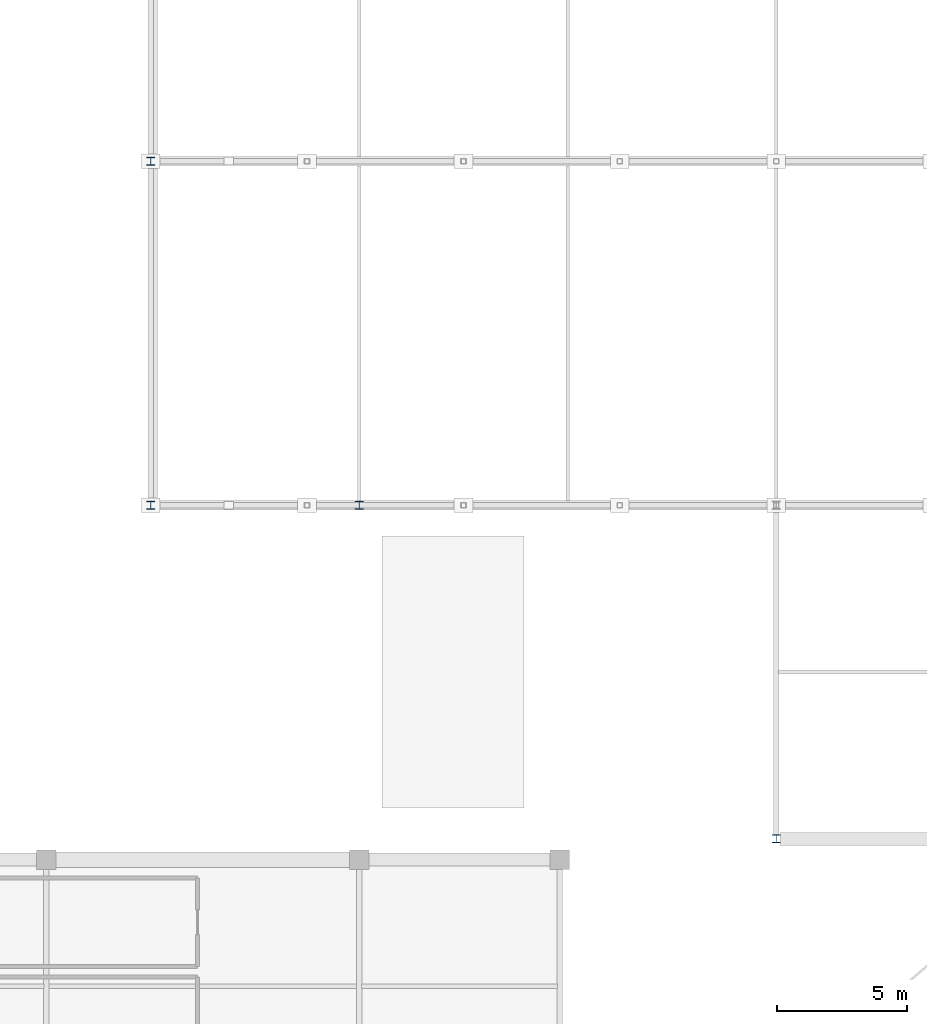
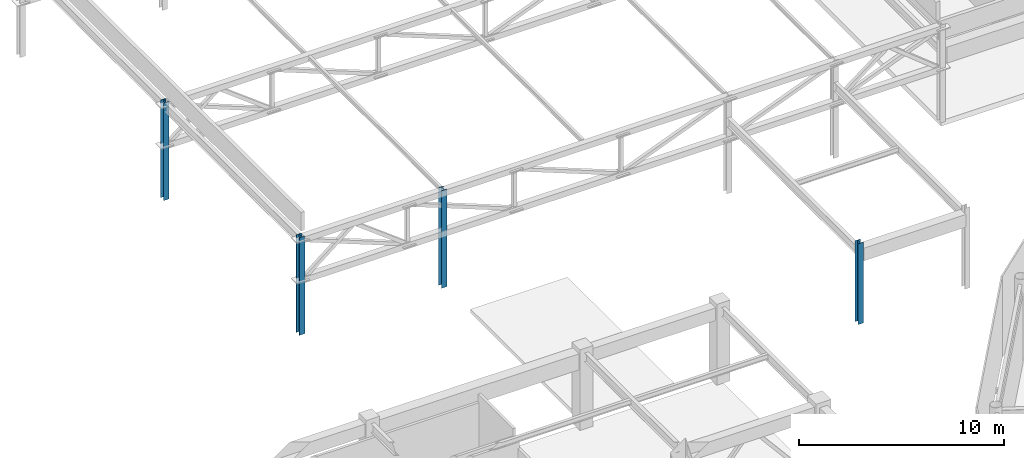
# One storey, part 8 of 122: 4 columns.
"""IFC4 building model written with IfcOpenShell, lengths in metres."""

from ifc_helpers import new_model, si_unit, direction, frame, origin, origin_2d, place, context, subcontext, project, spatial, i_section, extrude, material, material_profile, profile_set, type_object, element, save


model = new_model("IFC4")

# Units and contexts
model_context = context("Model", 3, precision=1e-05, world=origin(), true_north=direction((0.0, 1.0)))
body_context = subcontext(model_context, "Body", "Model", "MODEL_VIEW")
ifc_project = project(units=[si_unit("LENGTHUNIT", "METRE"), si_unit("AREAUNIT", "SQUARE_METRE"), si_unit("VOLUMEUNIT", "CUBIC_METRE"), si_unit("PLANEANGLEUNIT", "RADIAN"), si_unit("MASSUNIT", "GRAM", prefix="KILO")], contexts=[model_context])

# Site, building, storey
site_placement = place(None, origin())
site = spatial("IfcSite", under=ifc_project, at=site_placement, CompositionType="ELEMENT")
building_placement = place(site_placement, origin())
building = spatial("IfcBuilding", under=site, at=building_placement, Name="Cuetzalor Civic Arena", CompositionType="ELEMENT")
storey_placement = place(building_placement, frame((0.0, 0.0, 16.199951171875)))
storey = spatial("IfcBuildingStorey", under=building, at=storey_placement, Name="L03", CompositionType="ELEMENT", Elevation=16.199951171875)

# Columns
ifc_material = material(Name="Steel S355", Category="steel")
ifc_material_profile = material_profile(ifc_material, i_section(OverallWidth=0.304931640625, OverallDepth=0.30810546875, WebThickness=0.010009765625, FlangeThickness=0.015380859375, at=origin_2d()), Name="W310x97")
ifc_profile_set = profile_set([ifc_material_profile], Name="Steel S355")
column_type = type_object("IfcColumnType", Name="SteelGalleryColumn_W310", PredefinedType="COLUMN", material=ifc_profile_set)
for number, where, z_axis, x_axis, name in (
    (1, (-72.0, 48.300048828125, 0.0), (0.0, 0.0, 1.0), (1.0, 0.0, 0.0), "Column V5-C-01-02 L03"),
    (2, (-72.0, 61.5, 0.0), (0.0, 0.0, 1.0), (1.0, 0.0, 0.0), "Column V5-C-01-04 L03"),
    (3, (-64.0, 48.300048828125, 0.0), (0.0, 0.0, 1.0), (1.0, 0.0, 0.0), "Column V5-C-02-02 L03"),
):
    element("IfcColumn", number, at=place(storey_placement, frame(where, z_axis=z_axis, x_axis=x_axis)), inside=storey, type_object=column_type, Name=name, PredefinedType="COLUMN", context=body_context, shape_type="SweptSolid", body=[
        extrude(i_section(OverallWidth=0.304931640625, OverallDepth=0.30810546875, WebThickness=0.010009765625, FlangeThickness=0.015380859375, at=origin_2d()), origin(), (0.0, 0.0, 1.0), 5.800048828125),
    ])
column_placement = place(storey_placement, frame((-48.0, 35.5, 0.0), z_axis=(0.0, 0.0, 1.0), x_axis=(1.0, 0.0, 0.0)))
element("IfcColumn", 4, at=column_placement, inside=storey, type_object=column_type, Name="Column V5-C-03-01 L03", PredefinedType="COLUMN", context=body_context, shape_type="SweptSolid", body=[
    extrude(i_section(OverallWidth=0.304931640625, OverallDepth=0.30810546875, WebThickness=0.010009765625, FlangeThickness=0.015380859375, at=origin_2d()), origin(), (0.0, 0.0, 1.0), 4.800048828125),
])

save(model, "model.ifc")
